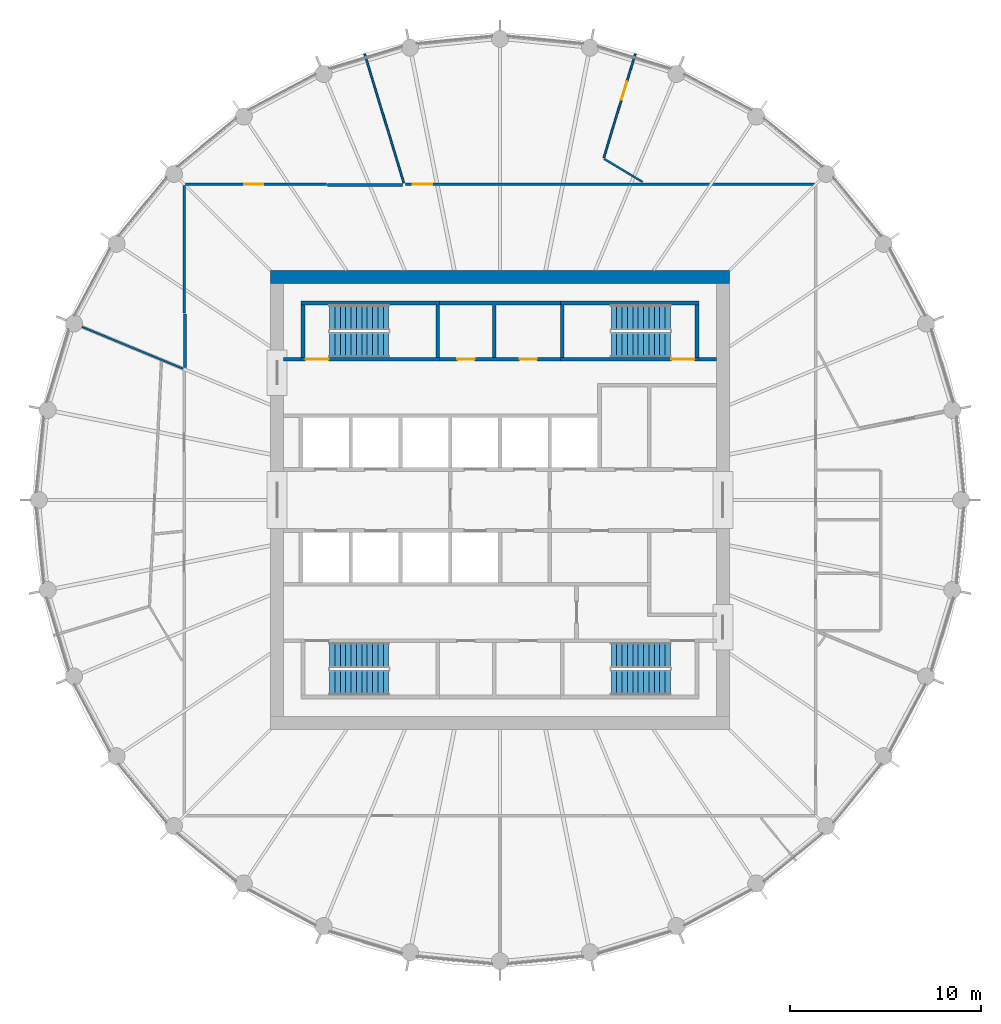
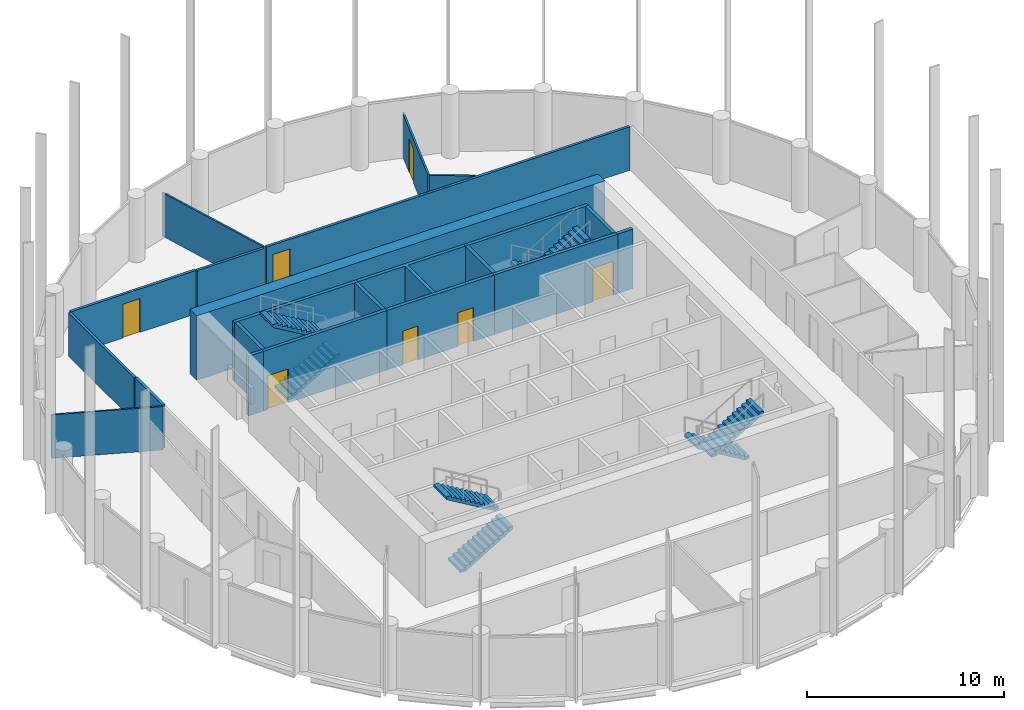
# One storey, part 6 of 7: 22 walls, 8 stair flights, 7 doors, 7 openings, 4 elements without a shape of their own.
"""IFC4 building model written with IfcOpenShell, lengths in metres."""

import ifcopenshell
import ifcopenshell.guid

model = None  # the IFC model being written
_history = None  # IfcOwnerHistory: only IFC2X3 demands one
_inside = {}  # id of a spatial element -> (the spatial element, [elements in it])
_under = {}  # id of a project, library or spatial element -> (it, [spatial elements below it])
_declared = {}  # id of a project -> (the project, [libraries it declares])
_typed = {}  # id of a type object -> (the type object, [elements of that type])
_made_of = {}  # id of a material, layer set ... -> (it, [elements and type objects made of it])


def new_model(schema):
    """Start an empty IFC model of exactly this schema.

    Asked for "IFC4X3", IfcOpenShell would pick the latest addendum, in which some entities
    have other attributes; the version numbers below select the first issue.
    IFC2X3 requires an IfcOwnerHistory on every rooted entity: one is made here for all.
    """
    global model, _history
    if schema == "IFC4X3":
        model = ifcopenshell.file(schema_version=(4, 3, 0, 0))
    else:
        model = ifcopenshell.file(schema=schema)
    _inside.clear()
    _under.clear()
    _declared.clear()
    _typed.clear()
    _made_of.clear()
    _history = None
    if model.schema == "IFC2X3":
        org = make("IfcOrganization", Name="unknown")
        user = make(
            "IfcPersonAndOrganization",
            ThePerson=make("IfcPerson", FamilyName="unknown"),
            TheOrganization=org,
        )
        app = make(
            "IfcApplication",
            ApplicationDeveloper=org,
            Version="unknown",
            ApplicationFullName="unknown",
            ApplicationIdentifier="unknown",
        )
        _history = make(
            "IfcOwnerHistory",
            OwningUser=user,
            OwningApplication=app,
            ChangeAction="ADDED",
            CreationDate=0,
        )
    return model


def make(cls, **values):
    """One entity of the class cls with the attributes given. An attribute that is None is left unset."""
    return model.create_entity(
        cls, **{name: value for name, value in values.items() if value is not None}
    )


def rooted(cls, **values):
    """An entity with a GlobalId (a new one), such as an element, a storey or a relation."""
    return make(cls, GlobalId=ifcopenshell.guid.new(), OwnerHistory=_history, **values)


def si_unit(unit_type, name, prefix=None):
    """IfcSIUnit, for example si_unit("LENGTHUNIT", "METRE", prefix="MILLI")."""
    return make("IfcSIUnit", UnitType=unit_type, Prefix=prefix, Name=name)


def assignment(units):
    """IfcUnitAssignment: the units of a project."""
    return None if units is None else make("IfcUnitAssignment", Units=units)


def point(xyz):
    """IfcCartesianPoint."""
    return None if xyz is None else make("IfcCartesianPoint", Coordinates=xyz)


def direction(xyz):
    """IfcDirection."""
    return None if xyz is None else make("IfcDirection", DirectionRatios=xyz)


def frame(location, z_axis=None, x_axis=None):
    """IfcAxis2Placement3D, a coordinate frame: its origin and axes. An axis left out is left unset."""
    return make(
        "IfcAxis2Placement3D",
        Location=point(location),
        Axis=direction(z_axis),
        RefDirection=direction(x_axis),
    )


def frame_2d(location, x_axis=None):
    """IfcAxis2Placement2D, a coordinate frame in the plane: its origin and x axis."""
    return make(
        "IfcAxis2Placement2D", Location=point(location), RefDirection=direction(x_axis)
    )


def origin():
    """The frame at (0, 0, 0) with its axes left unset."""
    return frame((0.0, 0.0, 0.0))


def place(relative_to, where):
    """IfcLocalPlacement: puts the frame where relative to a parent placement (None: the world)."""
    return make(
        "IfcLocalPlacement", PlacementRelTo=relative_to, RelativePlacement=where
    )


def context(
    kind, dimensions, precision=None, world=None, true_north=None, identifier=None
):
    """IfcGeometricRepresentationContext, for example the 3D "Model" context."""
    return make(
        "IfcGeometricRepresentationContext",
        ContextIdentifier=identifier,
        ContextType=kind,
        CoordinateSpaceDimension=dimensions,
        Precision=precision,
        WorldCoordinateSystem=world,
        TrueNorth=true_north,
    )


def subcontext(parent, identifier, kind, view, scale=None):
    """IfcGeometricRepresentationSubContext, for example "Body" below "Model"."""
    return make(
        "IfcGeometricRepresentationSubContext",
        ContextIdentifier=identifier,
        ContextType=kind,
        ParentContext=parent,
        TargetScale=scale,
        TargetView=view,
    )


def project(units=None, contexts=None):
    """IfcProject with its units and contexts."""
    return rooted(
        "IfcProject",
        Name="project",
        RepresentationContexts=contexts,
        UnitsInContext=assignment(units),
    )


def spatial(cls, under=None, at=None, **own):
    """A site, building, storey or space (cls), placed at a placement, below another one or the project."""
    s = rooted(cls, ObjectPlacement=at, **own)
    if under is not None:
        _under.setdefault(under.id(), (under, []))[1].append(s)
    return s


def polyline(points):
    """IfcPolyline through the points."""
    return make("IfcPolyline", Points=[point(p) for p in points])


def profile(cls, at=None, kind="AREA", **sizes):
    """A parametric profile (cls). Its sizes go by their IFC names, for example OverallWidth=200.0."""
    return make(cls, ProfileType=kind, Position=at, **sizes)


def rectangle(**sizes):
    """IfcRectangleProfileDef."""
    return profile("IfcRectangleProfileDef", **sizes)


def outline(outer, holes=None, kind="AREA"):
    """IfcArbitraryClosedProfileDef: a profile drawn as a closed curve; with holes, ...WithVoids."""
    if holes is None:
        return make("IfcArbitraryClosedProfileDef", ProfileType=kind, OuterCurve=outer)
    return make(
        "IfcArbitraryProfileDefWithVoids",
        ProfileType=kind,
        OuterCurve=outer,
        InnerCurves=holes,
    )


def extrude(swept, where, along, depth):
    """IfcExtrudedAreaSolid: the profile swept, set in the frame where, extruded along a direction by depth."""
    return make(
        "IfcExtrudedAreaSolid",
        SweptArea=swept,
        Position=where,
        ExtrudedDirection=direction(along),
        Depth=depth,
    )


def shape(context_of_items, identifier, shape_type, items):
    """IfcShapeRepresentation: the items that make up one representation, for example the "Body"."""
    return make(
        "IfcShapeRepresentation",
        ContextOfItems=context_of_items,
        RepresentationIdentifier=identifier,
        RepresentationType=shape_type,
        Items=items,
    )


def material(Name=None, Category=None):
    """IfcMaterial."""
    return make("IfcMaterial", Name=Name, Category=Category)


def layer(
    of_material, thickness, ventilated=None, Name=None, Category=None, Priority=None
):
    """IfcMaterialLayer: one layer of a wall or slab, of a material (None: an air gap)."""
    return make(
        "IfcMaterialLayer",
        Material=of_material,
        LayerThickness=thickness,
        IsVentilated=ventilated,
        Name=Name,
        Category=Category,
        Priority=Priority,
    )


def layer_set(layers, Name=None):
    """IfcMaterialLayerSet."""
    return make("IfcMaterialLayerSet", MaterialLayers=layers, LayerSetName=Name)


def made_of(thing, what):
    """Note that an element or type object is made of a material, layer set ...; save() writes the relation."""
    if what is not None:
        _made_of.setdefault(what.id(), (what, []))[1].append(thing)
    return thing


def type_object(cls, material=None, **own):
    """A type object (cls), such as IfcWallType, which elements share."""
    return made_of(rooted(cls, **own), material)


def element(
    cls,
    number,
    at=None,
    inside=None,
    cuts=None,
    type_object=None,
    material=None,
    context=None,
    identifier="Body",
    shape_type=None,
    held_by="IfcProductDefinitionShape",
    body=None,
    shapes=None,
    **own,
):
    """One element of the class cls, such as IfcWall. Its Tag is "e" and its number.

    at: its placement. inside: the storey or other place that contains it. cuts: it is an
    opening in that element (IfcRelVoidsElement). A single representation is given by context,
    identifier, shape_type and body (its items); several are given by shapes. held_by: the class
    of the entity that holds the representations. save() writes the other relations.
    """
    e = rooted(cls, Tag="e%d" % number, ObjectPlacement=at, **own)
    if body is not None:
        shapes = [shape(context, identifier, shape_type, body)]
    if shapes is not None:
        e.Representation = make(held_by, Representations=shapes)
    if inside is not None:
        _inside.setdefault(inside.id(), (inside, []))[1].append(e)
    if cuts is not None:
        rooted(
            "IfcRelVoidsElement", RelatingBuildingElement=cuts, RelatedOpeningElement=e
        )
    if type_object is not None:
        _typed.setdefault(type_object.id(), (type_object, []))[1].append(e)
    return made_of(e, material)


def fill(opening, filler):
    """IfcRelFillsElement: the door or window that sits in an opening."""
    return rooted(
        "IfcRelFillsElement",
        RelatingOpeningElement=opening,
        RelatedBuildingElement=filler,
    )


def aggregate(whole, parts):
    """IfcRelAggregates: a whole, such as a stair, and the parts it consists of."""
    return rooted("IfcRelAggregates", RelatingObject=whole, RelatedObjects=parts)


def save(model, path):
    """Write the relations noted so far, then the file.

    IfcRelAggregates (storeys below a building ...), IfcRelContainedInSpatialStructure (elements
    in a storey), IfcRelDefinesByType, IfcRelAssociatesMaterial and IfcRelDeclares: one each for
    every whole, place, type object, material and project.
    """
    for whole, parts in _under.values():
        aggregate(whole, parts)
    for where, things in _inside.values():
        rooted(
            "IfcRelContainedInSpatialStructure",
            RelatedElements=things,
            RelatingStructure=where,
        )
    for kind, things in _typed.values():
        rooted("IfcRelDefinesByType", RelatedObjects=things, RelatingType=kind)
    for what, things in _made_of.values():
        rooted("IfcRelAssociatesMaterial", RelatedObjects=things, RelatingMaterial=what)
    for by, libraries in _declared.values():
        rooted("IfcRelDeclares", RelatingContext=by, RelatedDefinitions=libraries)
    model.write(path)


model = new_model("IFC4")

# Units and contexts
model_context = context("Model", 3, precision=1e-05, world=origin(), true_north=direction((0.0, 1.0)))
body_context = subcontext(model_context, "Body", "Model", "MODEL_VIEW")
ifc_project = project(units=[si_unit("LENGTHUNIT", "METRE"), si_unit("AREAUNIT", "SQUARE_METRE"), si_unit("VOLUMEUNIT", "CUBIC_METRE"), si_unit("PLANEANGLEUNIT", "RADIAN"), si_unit("MASSUNIT", "GRAM", prefix="KILO")], contexts=[model_context])

# Site, building, storey
site_placement = place(None, origin())
site = spatial("IfcSite", under=ifc_project, at=site_placement, CompositionType="ELEMENT")
building_placement = place(site_placement, origin())
building = spatial("IfcBuilding", under=site, at=building_placement, Name="Corvane Civic Tower", CompositionType="ELEMENT")
storey_placement = place(building_placement, frame((0.0, 0.0, 311.0)))
storey = spatial("IfcBuildingStorey", under=building, at=storey_placement, Name="L74", CompositionType="ELEMENT", Elevation=311.0)

# Wall
ifc_material_1 = material(Name="Concrete C40/50", Category="concrete")
ifc_layer_1 = layer(ifc_material_1, 0.699951171875)
ifc_layer_set_1 = layer_set([ifc_layer_1], Name="Concrete C40/50")
wall_type_1 = type_object("IfcWallType", Name="CORE WALL 700 C40/50", PredefinedType="SHEAR", material=ifc_layer_set_1)
wall_1_placement = place(storey_placement, frame((-12.0, 11.64990234375, 0.0), z_axis=(0.0, 0.0, 1.0), x_axis=(1.0, 0.0, 0.0)))
element("IfcWall", 1, at=wall_1_placement, inside=storey, type_object=wall_type_1, Name="W-L74-core-N", PredefinedType="SHEAR", context=body_context, shape_type="SweptSolid", body=[
    extrude(rectangle(XDim=24.0, YDim=0.699951171875, at=frame_2d((12.0, 0.0))), origin(), (0.0, 0.0, 1.0), 4.0),
])

# Wall, openings, doors
ifc_material_2 = material(Name="Concrete C30/37", Category="concrete")
ifc_layer_2 = layer(ifc_material_2, 0.199951171875)
ifc_layer_set_2 = layer_set([ifc_layer_2], Name="Concrete C30/37")
wall_type_2 = type_object("IfcWallType", Name="CR-WALL-200", PredefinedType="PARTITIONING", material=ifc_layer_set_2)
wall_2_placement = place(storey_placement, frame((-3.14990234375, 7.35009765625, 0.0), z_axis=(0.0, 0.0, 1.0), x_axis=(1.0, 0.0, 0.0)))
wall_2 = element("IfcWall", 2, at=wall_2_placement, inside=storey, type_object=wall_type_2, Name="L74 core partition wall", PredefinedType="PARTITIONING", context=body_context, shape_type="SweptSolid", body=[
    extrude(rectangle(XDim=6.2998046875, YDim=0.199951171875, at=frame_2d((3.14990234375, 0.0))), origin(), (0.0, 0.0, 1.0), 3.699951171875),
])
opening_1_placement = place(wall_2_placement, frame((0.925048828125, 0.0, 0.0)))
opening_1 = element("IfcOpeningElement", 3, at=opening_1_placement, cuts=wall_2, Name="Opening L74.C06", PredefinedType="OPENING", context=body_context, shape_type="SweptSolid", body=[
    extrude(rectangle(XDim=0.89990234375, YDim=2.10009765625, at=frame_2d((0.449951171875, 1.050048828125))), frame((0.0, 0.10986328125, 0.0), z_axis=(0.0, -1.0, 0.0), x_axis=(1.0, 0.0, 0.0)), (0.0, 0.0, 1.0), 0.219970703125),
])
opening_2_placement = place(wall_2_placement, frame((4.175048828125, 0.0, 0.0)))
opening_2 = element("IfcOpeningElement", 4, at=opening_2_placement, cuts=wall_2, Name="Opening L74.C07", PredefinedType="OPENING", context=body_context, shape_type="SweptSolid", body=[
    extrude(rectangle(XDim=0.89990234375, YDim=2.10009765625, at=frame_2d((0.449951171875, 1.050048828125))), frame((0.0, 0.10986328125, 0.0), z_axis=(0.0, -1.0, 0.0), x_axis=(1.0, 0.0, 0.0)), (0.0, 0.0, 1.0), 0.219970703125),
])
ifc_material_3 = material(Name="Steel fire door leaf", Category="steel")
door_type_1 = type_object("IfcDoorType", Name="CR-DOOR-900", OperationType="SINGLE_SWING_LEFT", PredefinedType="DOOR", material=ifc_material_3)
door_1_placement = place(opening_1_placement, origin())
door_1 = element("IfcDoor", 5, at=door_1_placement, inside=storey, type_object=door_type_1, Name="L74 door", OperationType="SINGLE_SWING_LEFT", OverallHeight=2.10009765625, OverallWidth=0.89990234375, PredefinedType="DOOR", context=body_context, shape_type="SweptSolid", body=[
    extrude(rectangle(XDim=0.89990234375, YDim=2.10009765625, at=frame_2d((0.449951171875, 1.050048828125))), frame((0.0, 0.02490234375, 0.0), z_axis=(0.0, -1.0, 0.0), x_axis=(1.0, 0.0, 0.0)), (0.0, 0.0, 1.0), 0.050048828125),
])
fill(opening_1, door_1)
door_2_placement = place(opening_2_placement, origin())
door_2 = element("IfcDoor", 6, at=door_2_placement, inside=storey, type_object=door_type_1, Name="L74 door", OperationType="SINGLE_SWING_LEFT", OverallHeight=2.10009765625, OverallWidth=0.89990234375, PredefinedType="DOOR", context=body_context, shape_type="SweptSolid", body=[
    extrude(rectangle(XDim=0.89990234375, YDim=2.10009765625, at=frame_2d((0.449951171875, 1.050048828125))), frame((0.0, 0.02490234375, 0.0), z_axis=(0.0, -1.0, 0.0), x_axis=(1.0, 0.0, 0.0)), (0.0, 0.0, 1.0), 0.050048828125),
])
fill(opening_2, door_2)

# Walls
wall_3_placement = place(storey_placement, origin())
element("IfcWall", 7, at=wall_3_placement, inside=storey, type_object=wall_type_2, Name="L74 core partition wall", PredefinedType="PARTITIONING", context=body_context, shape_type="SweptSolid", body=[
    extrude(outline(polyline([(-10.39990234375, 7.25), (-11.300048828125, 7.25), (-11.300048828125, 7.449951171875), (-10.39990234375, 7.449951171875), (-10.39990234375, 7.25)])), origin(), (0.0, 0.0, 1.0), 3.699951171875),
])
wall_4_placement = place(storey_placement, origin())
element("IfcWall", 8, at=wall_4_placement, inside=storey, type_object=wall_type_2, Name="L74 core partition wall", PredefinedType="PARTITIONING", context=body_context, shape_type="SweptSolid", body=[
    extrude(outline(polyline([(3.14990234375, 10.39990234375), (3.14990234375, 10.199951171875), (-0.199951171875, 10.199951171875), (-0.199951171875, 7.449951171875), (-0.39990234375, 7.449951171875), (-0.39990234375, 10.199951171875), (-3.14990234375, 10.199951171875), (-3.14990234375, 10.39990234375), (3.14990234375, 10.39990234375)])), origin(), (0.0, 0.0, 1.0), 3.699951171875),
])
wall_5_placement = place(storey_placement, origin())
element("IfcWall", 9, at=wall_5_placement, inside=storey, type_object=wall_type_2, Name="L74 core partition wall", PredefinedType="PARTITIONING", context=body_context, shape_type="SweptSolid", body=[
    extrude(outline(polyline([(10.39990234375, 7.25), (10.39990234375, 7.449951171875), (11.300048828125, 7.449951171875), (11.300048828125, 7.25), (10.39990234375, 7.25)])), origin(), (0.0, 0.0, 1.0), 3.699951171875),
])
ifc_material_4 = material(Name="Plasterboard")
ifc_layer_3 = layer(ifc_material_4, 0.10009765625)
ifc_layer_set_3 = layer_set([ifc_layer_3], Name="Plasterboard")
wall_type_3 = type_object("IfcWallType", Name="Partition 100 plasterboard on studs", PredefinedType="PARTITIONING", material=ifc_layer_set_3)
wall_6_placement = place(storey_placement, frame((-21.84033203125, 9.046630859375, 0.0), z_axis=(0.0, 0.0, 1.0), x_axis=(0.923868475838, -0.382710124445, 0.0)))
element("IfcWall", 10, at=wall_6_placement, inside=storey, type_object=wall_type_3, Name="Partition L74.021", PredefinedType="PARTITIONING", context=body_context, shape_type="SweptSolid", body=[
    extrude(rectangle(XDim=5.716552734375, YDim=0.10009765625, at=frame_2d((2.8583984375, 0.0))), origin(), (0.0, 0.0, 1.0), 2.699951171875),
])
wall_7_placement = place(storey_placement, frame((-7.068603515625, 23.3017578125, 0.0), z_axis=(0.0, 0.0, 1.0), x_axis=(0.290279752693, -0.956941829568, 0.0)))
element("IfcWall", 11, at=wall_7_placement, inside=storey, type_object=wall_type_3, Name="Partition L74.027", PredefinedType="PARTITIONING", context=body_context, shape_type="SweptSolid", body=[
    extrude(rectangle(XDim=7.04052734375, YDim=0.10009765625, at=frame_2d((3.520263671875, 0.0))), origin(), (0.0, 0.0, 1.0), 2.699951171875),
])
wall_8_placement = place(storey_placement, frame((5.4453125, 17.820556640625, 0.0), z_axis=(0.0, 0.0, 1.0), x_axis=(0.857741449861, -0.514081321574, 0.0)))
element("IfcWall", 12, at=wall_8_placement, inside=storey, type_object=wall_type_3, Name="Partition L74.028", PredefinedType="PARTITIONING", context=body_context, shape_type="SweptSolid", body=[
    extrude(rectangle(XDim=2.33935546875, YDim=0.10009765625, at=frame_2d((1.169677734375, 0.0))), origin(), (0.0, 0.0, 1.0), 2.699951171875),
])

# Wall, opening, door
wall_9_placement = place(storey_placement, frame((5.423095703125, 17.8779296875, 0.0), z_axis=(0.0, 0.0, 1.0), x_axis=(0.290318207756, 0.956930163724, 0.0)))
wall_9 = element("IfcWall", 13, at=wall_9_placement, inside=storey, type_object=wall_type_3, Name="Partition L74.029", PredefinedType="PARTITIONING", context=body_context, shape_type="SweptSolid", body=[
    extrude(rectangle(XDim=5.66796875, YDim=0.10009765625, at=frame_2d((2.833984375, 0.0))), origin(), (0.0, 0.0, 1.0), 2.699951171875),
])
opening_3_placement = place(wall_9_placement, frame((3.16748046875, 0.0, 0.0)))
opening_3 = element("IfcOpeningElement", 14, at=opening_3_placement, cuts=wall_9, Name="Opening L74.010", PredefinedType="OPENING", context=body_context, shape_type="SweptSolid", body=[
    extrude(rectangle(XDim=1.0, YDim=2.10009765625, at=frame_2d((0.5, 1.050048828125))), frame((0.0, 0.06005859375, 0.0), z_axis=(0.0, -1.0, 0.0), x_axis=(1.0, 0.0, 0.0)), (0.0, 0.0, 1.0), 0.1201171875),
])
ifc_material_5 = material(Name="Timber", Category="wood")
door_type_2 = type_object("IfcDoorType", Name="Single door 1000", OperationType="NOTDEFINED", PredefinedType="DOOR", material=ifc_material_5)
door_3_placement = place(opening_3_placement, frame((1.0, 0.0, 0.0), z_axis=(0.0, 0.0, 1.0), x_axis=(-1.0, 0.0, 0.0)))
door_3 = element("IfcDoor", 15, at=door_3_placement, inside=storey, type_object=door_type_2, Name="Door L74.010", OperationType="SINGLE_SWING_LEFT", OverallHeight=2.10009765625, OverallWidth=1.0, PredefinedType="DOOR", context=body_context, shape_type="SweptSolid", body=[
    extrude(rectangle(XDim=1.0, YDim=2.10009765625, at=frame_2d((0.5, 1.050048828125))), frame((0.0, 0.02490234375, 0.0), z_axis=(0.0, -1.0, 0.0), x_axis=(1.0, 0.0, 0.0)), (0.0, 0.0, 1.0), 0.050048828125),
])
fill(opening_3, door_3)

ifc_material_6 = material(Name="Concrete C50/60", Category="concrete")
ifc_layer_4 = layer(ifc_material_6, 0.199951171875)
ifc_layer_set_4 = layer_set([ifc_layer_4], Name="Concrete C50/60")
wall_type_4 = type_object("IfcWallType", Name="ST-WALL-200", PredefinedType="SHEAR", material=ifc_layer_set_4)
wall_10_placement = place(storey_placement, frame((-10.39990234375, 7.35009765625, 0.0), z_axis=(0.0, 0.0, 1.0), x_axis=(1.0, 0.0, 0.0)))
wall_10 = element("IfcWall", 16, at=wall_10_placement, inside=storey, type_object=wall_type_4, Name="L74 stair enclosure wall", PredefinedType="SHEAR", context=body_context, shape_type="SweptSolid", body=[
    extrude(rectangle(XDim=7.25, YDim=0.199951171875, at=frame_2d((3.625, 0.0))), origin(), (0.0, 0.0, 1.0), 3.699951171875),
])
opening_4_placement = place(wall_10_placement, frame((0.25, 0.0, 0.0)))
opening_4 = element("IfcOpeningElement", 17, at=opening_4_placement, cuts=wall_10, Name="Opening L74.C11", PredefinedType="OPENING", context=body_context, shape_type="SweptSolid", body=[
    extrude(rectangle(XDim=1.199951171875, YDim=2.10009765625, at=frame_2d((0.60009765625, 1.050048828125))), frame((0.0, 0.10986328125, 0.0), z_axis=(0.0, -1.0, 0.0), x_axis=(1.0, 0.0, 0.0)), (0.0, 0.0, 1.0), 0.219970703125),
])
ifc_material_7 = material(Name="Steel fire door leaf", Category="steel")
door_type_3 = type_object("IfcDoorType", Name="ST-DOOR-1200", OperationType="SINGLE_SWING_RIGHT", PredefinedType="DOOR", material=ifc_material_7)
door_4_placement = place(opening_4_placement, origin())
door_4 = element("IfcDoor", 18, at=door_4_placement, inside=storey, type_object=door_type_3, Name="L74 stair door", OperationType="SINGLE_SWING_RIGHT", OverallHeight=2.10009765625, OverallWidth=1.199951171875, PredefinedType="DOOR", context=body_context, shape_type="SweptSolid", body=[
    extrude(rectangle(XDim=1.199951171875, YDim=2.10009765625, at=frame_2d((0.60009765625, 1.050048828125))), frame((0.0, 0.02490234375, 0.0), z_axis=(0.0, -1.0, 0.0), x_axis=(1.0, 0.0, 0.0)), (0.0, 0.0, 1.0), 0.050048828125),
])
fill(opening_4, door_4)

wall_11_placement = place(storey_placement, frame((3.14990234375, 7.35009765625, 0.0), z_axis=(0.0, 0.0, 1.0), x_axis=(1.0, 0.0, 0.0)))
wall_11 = element("IfcWall", 19, at=wall_11_placement, inside=storey, type_object=wall_type_4, Name="L74 stair enclosure wall", PredefinedType="SHEAR", context=body_context, shape_type="SweptSolid", body=[
    extrude(rectangle(XDim=7.25, YDim=0.199951171875, at=frame_2d((3.625, 0.0))), origin(), (0.0, 0.0, 1.0), 3.699951171875),
])
opening_5_placement = place(wall_11_placement, frame((5.800048828125, 0.0, 0.0)))
opening_5 = element("IfcOpeningElement", 20, at=opening_5_placement, cuts=wall_11, Name="Opening L74.C10", PredefinedType="OPENING", context=body_context, shape_type="SweptSolid", body=[
    extrude(rectangle(XDim=1.199951171875, YDim=2.10009765625, at=frame_2d((0.60009765625, 1.050048828125))), frame((0.0, 0.10986328125, 0.0), z_axis=(0.0, -1.0, 0.0), x_axis=(1.0, 0.0, 0.0)), (0.0, 0.0, 1.0), 0.219970703125),
])
door_5_placement = place(opening_5_placement, origin())
door_5 = element("IfcDoor", 21, at=door_5_placement, inside=storey, type_object=door_type_3, Name="L74 stair door", OperationType="SINGLE_SWING_RIGHT", OverallHeight=2.10009765625, OverallWidth=1.199951171875, PredefinedType="DOOR", context=body_context, shape_type="SweptSolid", body=[
    extrude(rectangle(XDim=1.199951171875, YDim=2.10009765625, at=frame_2d((0.60009765625, 1.050048828125))), frame((0.0, 0.02490234375, 0.0), z_axis=(0.0, -1.0, 0.0), x_axis=(1.0, 0.0, 0.0)), (0.0, 0.0, 1.0), 0.050048828125),
])
fill(opening_5, door_5)

# Walls
wall_12_placement = place(storey_placement, origin())
element("IfcWall", 22, at=wall_12_placement, inside=storey, type_object=wall_type_4, Name="L74 stair enclosure wall", PredefinedType="SHEAR", context=body_context, shape_type="SweptSolid", body=[
    extrude(outline(polyline([(-3.14990234375, 10.199951171875), (-10.39990234375, 10.199951171875), (-10.39990234375, 10.39990234375), (-3.14990234375, 10.39990234375), (-3.14990234375, 10.199951171875)])), origin(), (0.0, 0.0, 1.0), 3.699951171875),
])
wall_13_placement = place(storey_placement, origin())
element("IfcWall", 23, at=wall_13_placement, inside=storey, type_object=wall_type_4, Name="L74 stair enclosure wall", PredefinedType="SHEAR", context=body_context, shape_type="SweptSolid", body=[
    extrude(outline(polyline([(10.39990234375, 10.199951171875), (3.14990234375, 10.199951171875), (3.14990234375, 10.39990234375), (10.39990234375, 10.39990234375), (10.39990234375, 10.199951171875)])), origin(), (0.0, 0.0, 1.0), 3.699951171875),
])
wall_14_placement = place(storey_placement, origin())
element("IfcWall", 24, at=wall_14_placement, inside=storey, type_object=wall_type_4, Name="L74 stair enclosure wall", PredefinedType="SHEAR", context=body_context, shape_type="SweptSolid", body=[
    extrude(outline(polyline([(-3.14990234375, 7.449951171875), (-3.35009765625, 7.449951171875), (-3.35009765625, 10.199951171875), (-3.14990234375, 10.199951171875), (-3.14990234375, 7.449951171875)])), origin(), (0.0, 0.0, 1.0), 3.699951171875),
])
wall_15_placement = place(storey_placement, origin())
element("IfcWall", 25, at=wall_15_placement, inside=storey, type_object=wall_type_4, Name="L74 stair enclosure wall", PredefinedType="SHEAR", context=body_context, shape_type="SweptSolid", body=[
    extrude(outline(polyline([(3.35009765625, 7.449951171875), (3.14990234375, 7.449951171875), (3.14990234375, 10.199951171875), (3.35009765625, 10.199951171875), (3.35009765625, 7.449951171875)])), origin(), (0.0, 0.0, 1.0), 3.699951171875),
])
wall_16_placement = place(storey_placement, origin())
element("IfcWall", 26, at=wall_16_placement, inside=storey, type_object=wall_type_4, Name="L74 stair enclosure wall", PredefinedType="SHEAR", context=body_context, shape_type="SweptSolid", body=[
    extrude(outline(polyline([(-10.199951171875, 7.449951171875), (-10.39990234375, 7.449951171875), (-10.39990234375, 10.199951171875), (-10.199951171875, 10.199951171875), (-10.199951171875, 7.449951171875)])), origin(), (0.0, 0.0, 1.0), 3.699951171875),
])
wall_17_placement = place(storey_placement, origin())
element("IfcWall", 27, at=wall_17_placement, inside=storey, type_object=wall_type_4, Name="L74 stair enclosure wall", PredefinedType="SHEAR", context=body_context, shape_type="SweptSolid", body=[
    extrude(outline(polyline([(10.39990234375, 7.449951171875), (10.199951171875, 7.449951171875), (10.199951171875, 10.199951171875), (10.39990234375, 10.199951171875), (10.39990234375, 7.449951171875)])), origin(), (0.0, 0.0, 1.0), 3.699951171875),
])
ifc_material_8 = material(Name="Plasterboard")
ifc_layer_5 = layer(ifc_material_8, 0.14990234375)
ifc_layer_set_5 = layer_set([ifc_layer_5], Name="Plasterboard")
wall_type_5 = type_object("IfcWallType", Name="Tenancy wall 150 EI 60", PredefinedType="PARTITIONING", material=ifc_layer_set_5)
wall_18_placement = place(storey_placement, frame((-16.449951171875, 6.926025390625, 0.0), z_axis=(0.0, 0.0, 1.0), x_axis=(0.0, 1.0, 0.0)))
element("IfcWall", 28, at=wall_18_placement, inside=storey, type_object=wall_type_5, Name="Partition L74.022", PredefinedType="PARTITIONING", context=body_context, shape_type="SweptSolid", body=[
    extrude(rectangle(XDim=2.792236328125, YDim=0.14990234375, at=frame_2d((1.39599609375, 0.0))), origin(), (0.0, 0.0, 1.0), 2.699951171875),
])
wall_19_placement = place(storey_placement, frame((-16.5, 9.768310546875, 0.0), z_axis=(0.0, 0.0, 1.0), x_axis=(0.0, 1.0, 0.0)))
element("IfcWall", 29, at=wall_19_placement, inside=storey, type_object=wall_type_5, Name="Partition L74.023", PredefinedType="PARTITIONING", context=body_context, shape_type="SweptSolid", body=[
    extrude(rectangle(XDim=6.65673828125, YDim=0.14990234375, at=frame_2d((3.328369140625, 0.0))), origin(), (0.0, 0.0, 1.0), 2.699951171875),
])
wall_20_placement = place(storey_placement, frame((-9.017578125, 16.449951171875, 0.0), z_axis=(0.0, 0.0, 1.0), x_axis=(1.0, 0.0, 0.0)))
element("IfcWall", 30, at=wall_20_placement, inside=storey, type_object=wall_type_5, Name="Partition L74.024", PredefinedType="PARTITIONING", context=body_context, shape_type="SweptSolid", body=[
    extrude(rectangle(XDim=3.92626953125, YDim=0.14990234375, at=frame_2d((1.963134765625, 0.0))), origin(), (0.0, 0.0, 1.0), 2.699951171875),
])

# Wall, opening, door
wall_21_placement = place(storey_placement, frame((-16.425048828125, 16.5, 0.0), z_axis=(0.0, 0.0, 1.0), x_axis=(1.0, 0.0, 0.0)))
wall_21 = element("IfcWall", 31, at=wall_21_placement, inside=storey, type_object=wall_type_5, Name="Partition L74.025", PredefinedType="PARTITIONING", context=body_context, shape_type="SweptSolid", body=[
    extrude(rectangle(XDim=7.357666015625, YDim=0.14990234375, at=frame_2d((3.6787109375, 0.0))), origin(), (0.0, 0.0, 1.0), 2.699951171875),
])
opening_6_placement = place(wall_21_placement, frame((3.057861328125, 0.0, 0.0)))
opening_6 = element("IfcOpeningElement", 32, at=opening_6_placement, cuts=wall_21, Name="Opening L74.008", PredefinedType="OPENING", context=body_context, shape_type="SweptSolid", body=[
    extrude(rectangle(XDim=1.0, YDim=2.10009765625, at=frame_2d((0.5, 1.050048828125))), frame((0.0, 0.0849609375, 0.0), z_axis=(0.0, -1.0, 0.0), x_axis=(1.0, 0.0, 0.0)), (0.0, 0.0, 1.0), 0.169921875),
])
ifc_material_9 = material(Name="Steel and timber", Category="steel")
door_type_4 = type_object("IfcDoorType", Name="Fire door FD30S 1000", OperationType="NOTDEFINED", PredefinedType="DOOR", material=ifc_material_9)
door_6_placement = place(opening_6_placement, origin())
door_6 = element("IfcDoor", 33, at=door_6_placement, inside=storey, type_object=door_type_4, Name="Door L74.008", OperationType="SINGLE_SWING_RIGHT", OverallHeight=2.10009765625, OverallWidth=1.0, PredefinedType="DOOR", context=body_context, shape_type="SweptSolid", body=[
    extrude(rectangle(XDim=1.0, YDim=2.10009765625, at=frame_2d((0.5, 1.050048828125))), frame((0.0, 0.02490234375, 0.0), z_axis=(0.0, -1.0, 0.0), x_axis=(1.0, 0.0, 0.0)), (0.0, 0.0, 1.0), 0.050048828125),
])
fill(opening_6, door_6)

wall_22_placement = place(storey_placement, frame((-4.94970703125, 16.5, 0.0), z_axis=(0.0, 0.0, 1.0), x_axis=(1.0, 0.0, 0.0)))
wall_22 = element("IfcWall", 34, at=wall_22_placement, inside=storey, type_object=wall_type_5, Name="Partition L74.026", PredefinedType="PARTITIONING", context=body_context, shape_type="SweptSolid", body=[
    extrude(rectangle(XDim=21.374755859375, YDim=0.14990234375, at=frame_2d((10.6875, 0.0))), origin(), (0.0, 0.0, 1.0), 2.699951171875),
])
opening_7_placement = place(wall_22_placement, frame((0.39990234375, 0.0, 0.0)))
opening_7 = element("IfcOpeningElement", 35, at=opening_7_placement, cuts=wall_22, Name="Opening L74.009", PredefinedType="OPENING", context=body_context, shape_type="SweptSolid", body=[
    extrude(rectangle(XDim=1.0, YDim=2.10009765625, at=frame_2d((0.5, 1.050048828125))), frame((0.0, 0.0849609375, 0.0), z_axis=(0.0, -1.0, 0.0), x_axis=(1.0, 0.0, 0.0)), (0.0, 0.0, 1.0), 0.169921875),
])
door_7_placement = place(opening_7_placement, origin())
door_7 = element("IfcDoor", 36, at=door_7_placement, inside=storey, type_object=door_type_4, Name="Door L74.009", OperationType="SINGLE_SWING_LEFT", OverallHeight=2.10009765625, OverallWidth=1.0, PredefinedType="DOOR", context=body_context, shape_type="SweptSolid", body=[
    extrude(rectangle(XDim=1.0, YDim=2.10009765625, at=frame_2d((0.5, 1.050048828125))), frame((0.0, 0.02490234375, 0.0), z_axis=(0.0, -1.0, 0.0), x_axis=(1.0, 0.0, 0.0)), (0.0, 0.0, 1.0), 0.050048828125),
])
fill(opening_7, door_7)

# Stair, stair flights
ifc_material_10 = material(Name="Concrete C40/50", Category="concrete")
stair_type = type_object("IfcStairType", Name="ST-STAIR-HALFTURN", PredefinedType="HALF_TURN_STAIR", material=ifc_material_10)
stair_1_placement = place(storey_placement, origin())
stair_1 = element("IfcStair", 37, at=stair_1_placement, inside=storey, type_object=stair_type, Name="L74 Exit stair ST1", PredefinedType="HALF_TURN_STAIR")
ifc_material_11 = material(Name="Concrete C40/50", Category="concrete")
stair_flight_type = type_object("IfcStairFlightType", Name="ST-FLIGHT-RC", PredefinedType="STRAIGHT", material=ifc_material_11)
stair_flight_1_placement = place(storey_placement, frame((8.89990234375, 9.550048828125, 0.0), z_axis=(0.0, 0.0, 1.0), x_axis=(-1.0, 0.0, 0.0)))
stair_flight_1 = element("IfcStairFlight", 38, at=stair_flight_1_placement, type_object=stair_flight_type, Name="ST1 flight 1", NumberOfRisers=12, NumberOfTreads=11, PredefinedType="STRAIGHT", RiserHeight=0.166666667, TreadLength=0.28, context=body_context, shape_type="SweptSolid", body=[
    extrude(outline(polyline([(0.0, 0.0), (0.0, 0.166748046875), (0.280029296875, 0.166748046875), (0.280029296875, 0.333251953125), (0.56005859375, 0.333251953125), (0.56005859375, 0.5), (0.840087890625, 0.5), (0.840087890625, 0.666748046875), (1.1201171875, 0.666748046875), (1.1201171875, 0.833251953125), (1.39990234375, 0.833251953125), (1.39990234375, 1.0), (1.679931640625, 1.0), (1.679931640625, 1.166748046875), (1.9599609375, 1.166748046875), (1.9599609375, 1.333251953125), (2.239990234375, 1.333251953125), (2.239990234375, 1.5), (2.52001953125, 1.5), (2.52001953125, 1.666748046875), (2.800048828125, 1.666748046875), (2.800048828125, 1.833251953125), (3.080078125, 1.833251953125), (3.080078125, 2.0), (3.080078125, 1.658935546875), (0.29296875, 0.0), (0.0, 0.0)])), frame((0.0, 0.64990234375, 0.0), z_axis=(0.0, -1.0, 0.0), x_axis=(1.0, 0.0, 0.0)), (0.0, 0.0, 1.0), 1.300048828125),
])
stair_flight_2_placement = place(storey_placement, frame((5.820068359375, 8.10009765625, 2.0), z_axis=(0.0, 0.0, 1.0), x_axis=(1.0, 0.0, 0.0)))
stair_flight_2 = element("IfcStairFlight", 39, at=stair_flight_2_placement, type_object=stair_flight_type, Name="ST1 flight 2", NumberOfRisers=12, NumberOfTreads=11, PredefinedType="STRAIGHT", RiserHeight=0.166666667, TreadLength=0.28, context=body_context, shape_type="SweptSolid", body=[
    extrude(outline(polyline([(0.0, 0.0), (0.0, 0.166748046875), (0.280029296875, 0.166748046875), (0.280029296875, 0.333251953125), (0.56005859375, 0.333251953125), (0.56005859375, 0.5), (0.840087890625, 0.5), (0.840087890625, 0.666748046875), (1.1201171875, 0.666748046875), (1.1201171875, 0.833251953125), (1.39990234375, 0.833251953125), (1.39990234375, 1.0), (1.679931640625, 1.0), (1.679931640625, 1.166748046875), (1.9599609375, 1.166748046875), (1.9599609375, 1.333251953125), (2.239990234375, 1.333251953125), (2.239990234375, 1.5), (2.52001953125, 1.5), (2.52001953125, 1.666748046875), (2.800048828125, 1.666748046875), (2.800048828125, 1.833251953125), (3.080078125, 1.833251953125), (3.080078125, 2.0), (3.080078125, 1.658935546875), (0.29296875, 0.0), (0.0, 0.0)])), frame((0.0, 0.64990234375, 0.0), z_axis=(0.0, -1.0, 0.0), x_axis=(1.0, 0.0, 0.0)), (0.0, 0.0, 1.0), 1.300048828125),
])
aggregate(stair_1, [stair_flight_1, stair_flight_2])

stair_2_placement = place(storey_placement, origin())
stair_2 = element("IfcStair", 40, at=stair_2_placement, inside=storey, type_object=stair_type, Name="L74 Exit stair ST2", PredefinedType="HALF_TURN_STAIR")
stair_flight_3_placement = place(storey_placement, frame((8.89990234375, -8.10009765625, 0.0), z_axis=(0.0, 0.0, 1.0), x_axis=(-1.0, 0.0, 0.0)))
stair_flight_3 = element("IfcStairFlight", 41, at=stair_flight_3_placement, type_object=stair_flight_type, Name="ST2 flight 1", NumberOfRisers=12, NumberOfTreads=11, PredefinedType="STRAIGHT", RiserHeight=0.166666667, TreadLength=0.28, context=body_context, shape_type="SweptSolid", body=[
    extrude(outline(polyline([(0.0, 0.0), (0.0, 0.166748046875), (0.280029296875, 0.166748046875), (0.280029296875, 0.333251953125), (0.56005859375, 0.333251953125), (0.56005859375, 0.5), (0.840087890625, 0.5), (0.840087890625, 0.666748046875), (1.1201171875, 0.666748046875), (1.1201171875, 0.833251953125), (1.39990234375, 0.833251953125), (1.39990234375, 1.0), (1.679931640625, 1.0), (1.679931640625, 1.166748046875), (1.9599609375, 1.166748046875), (1.9599609375, 1.333251953125), (2.239990234375, 1.333251953125), (2.239990234375, 1.5), (2.52001953125, 1.5), (2.52001953125, 1.666748046875), (2.800048828125, 1.666748046875), (2.800048828125, 1.833251953125), (3.080078125, 1.833251953125), (3.080078125, 2.0), (3.080078125, 1.658935546875), (0.29296875, 0.0), (0.0, 0.0)])), frame((0.0, 0.64990234375, 0.0), z_axis=(0.0, -1.0, 0.0), x_axis=(1.0, 0.0, 0.0)), (0.0, 0.0, 1.0), 1.300048828125),
])
stair_flight_4_placement = place(storey_placement, frame((5.820068359375, -9.550048828125, 2.0), z_axis=(0.0, 0.0, 1.0), x_axis=(1.0, 0.0, 0.0)))
stair_flight_4 = element("IfcStairFlight", 42, at=stair_flight_4_placement, type_object=stair_flight_type, Name="ST2 flight 2", NumberOfRisers=12, NumberOfTreads=11, PredefinedType="STRAIGHT", RiserHeight=0.166666667, TreadLength=0.28, context=body_context, shape_type="SweptSolid", body=[
    extrude(outline(polyline([(0.0, 0.0), (0.0, 0.166748046875), (0.280029296875, 0.166748046875), (0.280029296875, 0.333251953125), (0.56005859375, 0.333251953125), (0.56005859375, 0.5), (0.840087890625, 0.5), (0.840087890625, 0.666748046875), (1.1201171875, 0.666748046875), (1.1201171875, 0.833251953125), (1.39990234375, 0.833251953125), (1.39990234375, 1.0), (1.679931640625, 1.0), (1.679931640625, 1.166748046875), (1.9599609375, 1.166748046875), (1.9599609375, 1.333251953125), (2.239990234375, 1.333251953125), (2.239990234375, 1.5), (2.52001953125, 1.5), (2.52001953125, 1.666748046875), (2.800048828125, 1.666748046875), (2.800048828125, 1.833251953125), (3.080078125, 1.833251953125), (3.080078125, 2.0), (3.080078125, 1.658935546875), (0.29296875, 0.0), (0.0, 0.0)])), frame((0.0, 0.64990234375, 0.0), z_axis=(0.0, -1.0, 0.0), x_axis=(1.0, 0.0, 0.0)), (0.0, 0.0, 1.0), 1.300048828125),
])
aggregate(stair_2, [stair_flight_3, stair_flight_4])

stair_3_placement = place(storey_placement, origin())
stair_3 = element("IfcStair", 43, at=stair_3_placement, inside=storey, type_object=stair_type, Name="L74 Exit stair ST3", PredefinedType="HALF_TURN_STAIR")
stair_flight_5_placement = place(storey_placement, frame((-8.89990234375, -9.550048828125, 0.0), z_axis=(0.0, 0.0, 1.0), x_axis=(1.0, 0.0, 0.0)))
stair_flight_5 = element("IfcStairFlight", 44, at=stair_flight_5_placement, type_object=stair_flight_type, Name="ST3 flight 1", NumberOfRisers=12, NumberOfTreads=11, PredefinedType="STRAIGHT", RiserHeight=0.166666667, TreadLength=0.28, context=body_context, shape_type="SweptSolid", body=[
    extrude(outline(polyline([(0.0, 0.0), (0.0, 0.166748046875), (0.280029296875, 0.166748046875), (0.280029296875, 0.333251953125), (0.56005859375, 0.333251953125), (0.56005859375, 0.5), (0.840087890625, 0.5), (0.840087890625, 0.666748046875), (1.1201171875, 0.666748046875), (1.1201171875, 0.833251953125), (1.39990234375, 0.833251953125), (1.39990234375, 1.0), (1.679931640625, 1.0), (1.679931640625, 1.166748046875), (1.9599609375, 1.166748046875), (1.9599609375, 1.333251953125), (2.239990234375, 1.333251953125), (2.239990234375, 1.5), (2.52001953125, 1.5), (2.52001953125, 1.666748046875), (2.800048828125, 1.666748046875), (2.800048828125, 1.833251953125), (3.080078125, 1.833251953125), (3.080078125, 2.0), (3.080078125, 1.658935546875), (0.29296875, 0.0), (0.0, 0.0)])), frame((0.0, 0.64990234375, 0.0), z_axis=(0.0, -1.0, 0.0), x_axis=(1.0, 0.0, 0.0)), (0.0, 0.0, 1.0), 1.300048828125),
])
stair_flight_6_placement = place(storey_placement, frame((-5.820068359375, -8.10009765625, 2.0), z_axis=(0.0, 0.0, 1.0), x_axis=(-1.0, 0.0, 0.0)))
stair_flight_6 = element("IfcStairFlight", 45, at=stair_flight_6_placement, type_object=stair_flight_type, Name="ST3 flight 2", NumberOfRisers=12, NumberOfTreads=11, PredefinedType="STRAIGHT", RiserHeight=0.166666667, TreadLength=0.28, context=body_context, shape_type="SweptSolid", body=[
    extrude(outline(polyline([(0.0, 0.0), (0.0, 0.166748046875), (0.280029296875, 0.166748046875), (0.280029296875, 0.333251953125), (0.56005859375, 0.333251953125), (0.56005859375, 0.5), (0.840087890625, 0.5), (0.840087890625, 0.666748046875), (1.1201171875, 0.666748046875), (1.1201171875, 0.833251953125), (1.39990234375, 0.833251953125), (1.39990234375, 1.0), (1.679931640625, 1.0), (1.679931640625, 1.166748046875), (1.9599609375, 1.166748046875), (1.9599609375, 1.333251953125), (2.239990234375, 1.333251953125), (2.239990234375, 1.5), (2.52001953125, 1.5), (2.52001953125, 1.666748046875), (2.800048828125, 1.666748046875), (2.800048828125, 1.833251953125), (3.080078125, 1.833251953125), (3.080078125, 2.0), (3.080078125, 1.658935546875), (0.29296875, 0.0), (0.0, 0.0)])), frame((0.0, 0.64990234375, 0.0), z_axis=(0.0, -1.0, 0.0), x_axis=(1.0, 0.0, 0.0)), (0.0, 0.0, 1.0), 1.300048828125),
])
aggregate(stair_3, [stair_flight_5, stair_flight_6])

stair_4_placement = place(storey_placement, origin())
stair_4 = element("IfcStair", 46, at=stair_4_placement, inside=storey, type_object=stair_type, Name="L74 Exit stair ST4", PredefinedType="HALF_TURN_STAIR")
stair_flight_7_placement = place(storey_placement, frame((-8.89990234375, 8.10009765625, 0.0), z_axis=(0.0, 0.0, 1.0), x_axis=(1.0, 0.0, 0.0)))
stair_flight_7 = element("IfcStairFlight", 47, at=stair_flight_7_placement, type_object=stair_flight_type, Name="ST4 flight 1", NumberOfRisers=12, NumberOfTreads=11, PredefinedType="STRAIGHT", RiserHeight=0.166666667, TreadLength=0.28, context=body_context, shape_type="SweptSolid", body=[
    extrude(outline(polyline([(0.0, 0.0), (0.0, 0.166748046875), (0.280029296875, 0.166748046875), (0.280029296875, 0.333251953125), (0.56005859375, 0.333251953125), (0.56005859375, 0.5), (0.840087890625, 0.5), (0.840087890625, 0.666748046875), (1.1201171875, 0.666748046875), (1.1201171875, 0.833251953125), (1.39990234375, 0.833251953125), (1.39990234375, 1.0), (1.679931640625, 1.0), (1.679931640625, 1.166748046875), (1.9599609375, 1.166748046875), (1.9599609375, 1.333251953125), (2.239990234375, 1.333251953125), (2.239990234375, 1.5), (2.52001953125, 1.5), (2.52001953125, 1.666748046875), (2.800048828125, 1.666748046875), (2.800048828125, 1.833251953125), (3.080078125, 1.833251953125), (3.080078125, 2.0), (3.080078125, 1.658935546875), (0.29296875, 0.0), (0.0, 0.0)])), frame((0.0, 0.64990234375, 0.0), z_axis=(0.0, -1.0, 0.0), x_axis=(1.0, 0.0, 0.0)), (0.0, 0.0, 1.0), 1.300048828125),
])
stair_flight_8_placement = place(storey_placement, frame((-5.820068359375, 9.550048828125, 2.0), z_axis=(0.0, 0.0, 1.0), x_axis=(-1.0, 0.0, 0.0)))
stair_flight_8 = element("IfcStairFlight", 48, at=stair_flight_8_placement, type_object=stair_flight_type, Name="ST4 flight 2", NumberOfRisers=12, NumberOfTreads=11, PredefinedType="STRAIGHT", RiserHeight=0.166666667, TreadLength=0.28, context=body_context, shape_type="SweptSolid", body=[
    extrude(outline(polyline([(0.0, 0.0), (0.0, 0.166748046875), (0.280029296875, 0.166748046875), (0.280029296875, 0.333251953125), (0.56005859375, 0.333251953125), (0.56005859375, 0.5), (0.840087890625, 0.5), (0.840087890625, 0.666748046875), (1.1201171875, 0.666748046875), (1.1201171875, 0.833251953125), (1.39990234375, 0.833251953125), (1.39990234375, 1.0), (1.679931640625, 1.0), (1.679931640625, 1.166748046875), (1.9599609375, 1.166748046875), (1.9599609375, 1.333251953125), (2.239990234375, 1.333251953125), (2.239990234375, 1.5), (2.52001953125, 1.5), (2.52001953125, 1.666748046875), (2.800048828125, 1.666748046875), (2.800048828125, 1.833251953125), (3.080078125, 1.833251953125), (3.080078125, 2.0), (3.080078125, 1.658935546875), (0.29296875, 0.0), (0.0, 0.0)])), frame((0.0, 0.64990234375, 0.0), z_axis=(0.0, -1.0, 0.0), x_axis=(1.0, 0.0, 0.0)), (0.0, 0.0, 1.0), 1.300048828125),
])
aggregate(stair_4, [stair_flight_7, stair_flight_8])

save(model, "model.ifc")
